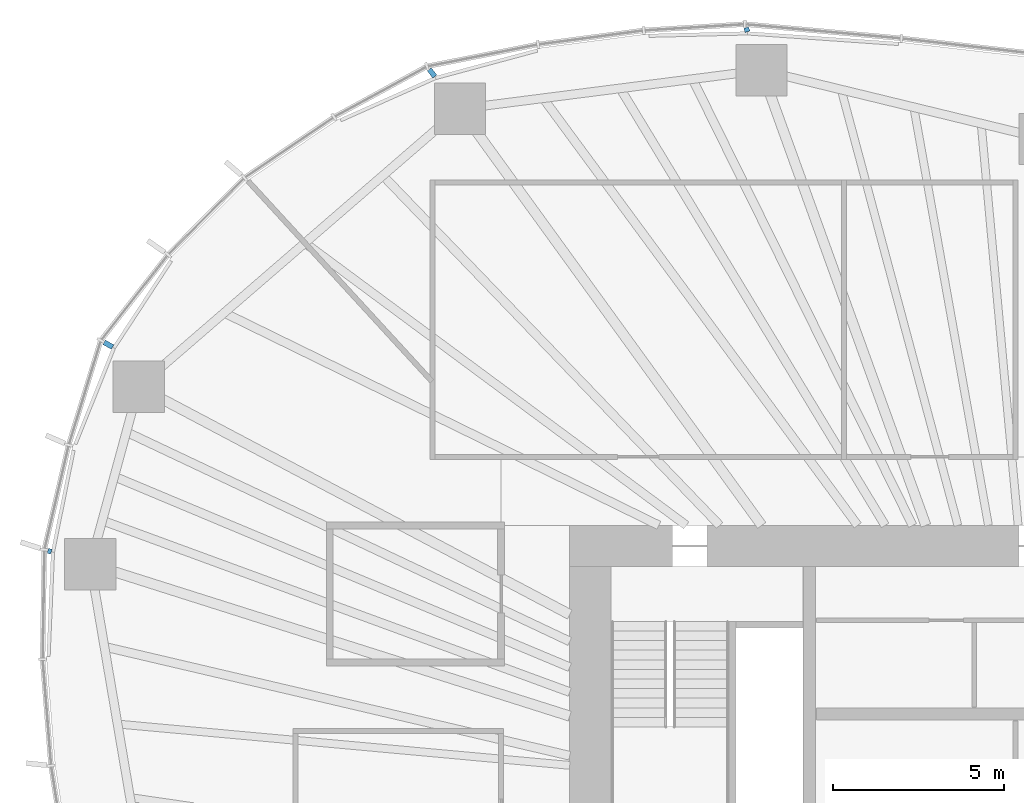
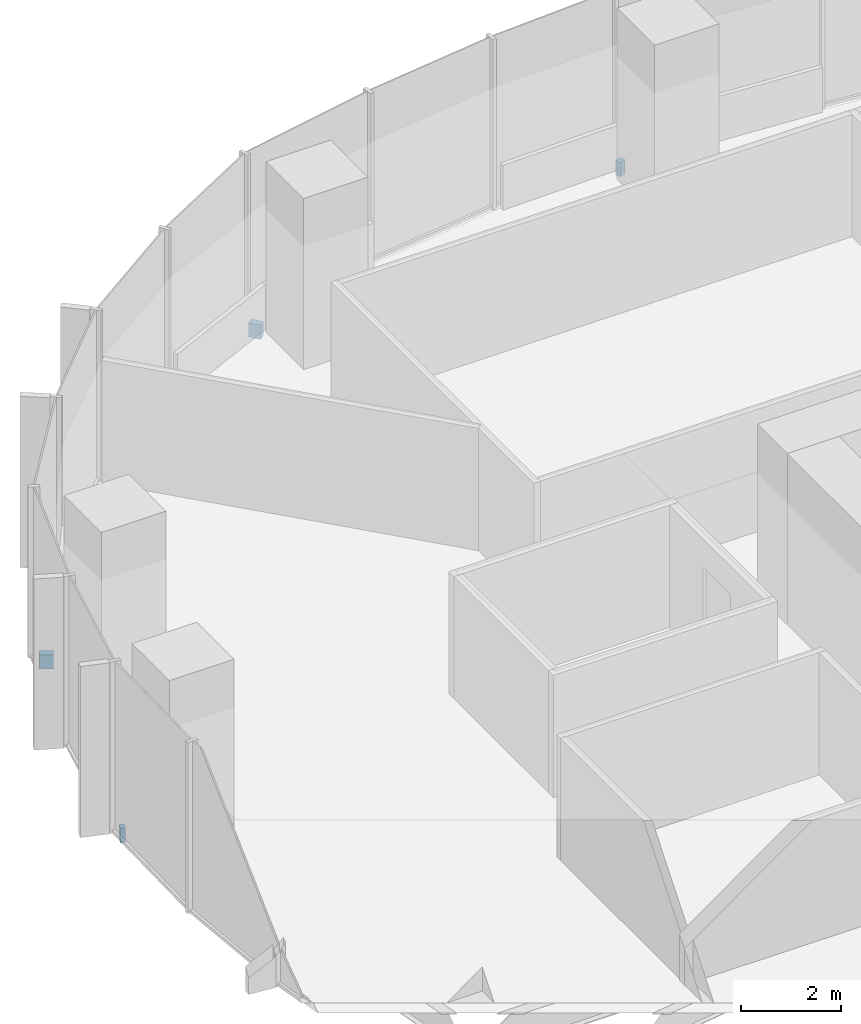
# One storey, part 15 of 18: 4 discrete accessories.
"""IFC4 building model written with IfcOpenShell, lengths in metres."""

from ifc_helpers import new_model, si_unit, direction, frame, origin, origin_2d, place, context, subcontext, project, spatial, rectangle, extrude, material, type_object, element, save


model = new_model("IFC4")

# Units and contexts
model_context = context("Model", 3, precision=1e-05, world=origin(), true_north=direction((0.0, 1.0)))
body_context = subcontext(model_context, "Body", "Model", "MODEL_VIEW")
ifc_project = project(units=[si_unit("LENGTHUNIT", "METRE"), si_unit("AREAUNIT", "SQUARE_METRE"), si_unit("VOLUMEUNIT", "CUBIC_METRE"), si_unit("PLANEANGLEUNIT", "RADIAN"), si_unit("MASSUNIT", "GRAM", prefix="KILO")], contexts=[model_context])

# Site, building, storey
site_placement = place(None, origin())
site = spatial("IfcSite", under=ifc_project, at=site_placement, CompositionType="ELEMENT")
building_placement = place(site_placement, origin())
building = spatial("IfcBuilding", under=site, at=building_placement, Name="Ghaith Harvest Tower", CompositionType="ELEMENT")
storey_placement = place(building_placement, frame((0.0, 0.0, 117.60009765625)))
storey = spatial("IfcBuildingStorey", under=building, at=storey_placement, Name="L24", CompositionType="ELEMENT", Elevation=117.60009765625)

# Discrete accessories
ifc_material_1 = material(Name="Stainless steel grade 1.4401", Category="steel")
discrete_accessory_type_1 = type_object("IfcDiscreteAccessoryType", Name="CURTAIN WALL BRACKET 105", PredefinedType="BRACKET", material=ifc_material_1)
discrete_accessory_1_placement = place(storey_placement, frame((-29.171875, 9.2451171875, -0.250244140625), z_axis=(0.0, 0.0, 1.0), x_axis=(-0.953273219358, 0.302109531884, 0.0)))
element("IfcDiscreteAccessory", 1, at=discrete_accessory_1_placement, inside=storey, type_object=discrete_accessory_type_1, Name="CW-L bracket 1 bay 10 L24", PredefinedType="BRACKET", context=body_context, shape_type="SweptSolid", body=[
    extrude(rectangle(XDim=0.10498046875, YDim=0.14990234375, at=origin_2d()), origin(), (0.0, 0.0, 1.0), 0.35009765625),
])
ifc_material_2 = material(Name="Stainless steel grade 1.4401", Category="steel")
discrete_accessory_type_2 = type_object("IfcDiscreteAccessoryType", Name="CURTAIN WALL BRACKET 125", PredefinedType="BRACKET", material=ifc_material_2)
discrete_accessory_2_placement = place(storey_placement, frame((-8.833984375, 24.45849609375, -0.250244140625), z_axis=(0.0, 0.0, 1.0), x_axis=(-0.339699453402, 0.94053404051, 0.0)))
element("IfcDiscreteAccessory", 2, at=discrete_accessory_2_placement, inside=storey, type_object=discrete_accessory_type_2, Name="CW-L bracket 1 bay 07 L24", PredefinedType="BRACKET", context=body_context, shape_type="SweptSolid", body=[
    extrude(rectangle(XDim=0.125, YDim=0.14990234375, at=origin_2d()), origin(), (0.0, 0.0, 1.0), 0.35009765625),
])
ifc_material_3 = material(Name="Stainless steel grade 1.4401", Category="steel")
discrete_accessory_type_3 = type_object("IfcDiscreteAccessoryType", Name="CURTAIN WALL BRACKET 265", PredefinedType="BRACKET", material=ifc_material_3)
discrete_accessory_3_placement = place(storey_placement, frame((-18.0166015625, 23.197998046875, -0.250244140625), z_axis=(0.0, 0.0, 1.0), x_axis=(-0.613377714422, 0.78978970584, 0.0)))
element("IfcDiscreteAccessory", 3, at=discrete_accessory_3_placement, inside=storey, type_object=discrete_accessory_type_3, Name="CW-L bracket 1 bay 08 L24", PredefinedType="BRACKET", context=body_context, shape_type="SweptSolid", body=[
    extrude(rectangle(XDim=0.264892578125, YDim=0.14990234375, at=origin_2d()), origin(), (0.0, 0.0, 1.0), 0.35009765625),
])
ifc_material_4 = material(Name="Stainless steel grade 1.4401", Category="steel")
discrete_accessory_type_4 = type_object("IfcDiscreteAccessoryType", Name="CURTAIN WALL BRACKET 285", PredefinedType="BRACKET", material=ifc_material_4)
discrete_accessory_4_placement = place(storey_placement, frame((-27.45849609375, 15.271728515625, -0.250244140625), z_axis=(0.0, 0.0, 1.0), x_axis=(-0.873926916005, 0.486057347935, 0.0)))
element("IfcDiscreteAccessory", 4, at=discrete_accessory_4_placement, inside=storey, type_object=discrete_accessory_type_4, Name="CW-L bracket 2 bay 09 L24", PredefinedType="BRACKET", context=body_context, shape_type="SweptSolid", body=[
    extrude(rectangle(XDim=0.284912109375, YDim=0.14990234375, at=origin_2d()), origin(), (0.0, 0.0, 1.0), 0.35009765625),
])

save(model, "model.ifc")
